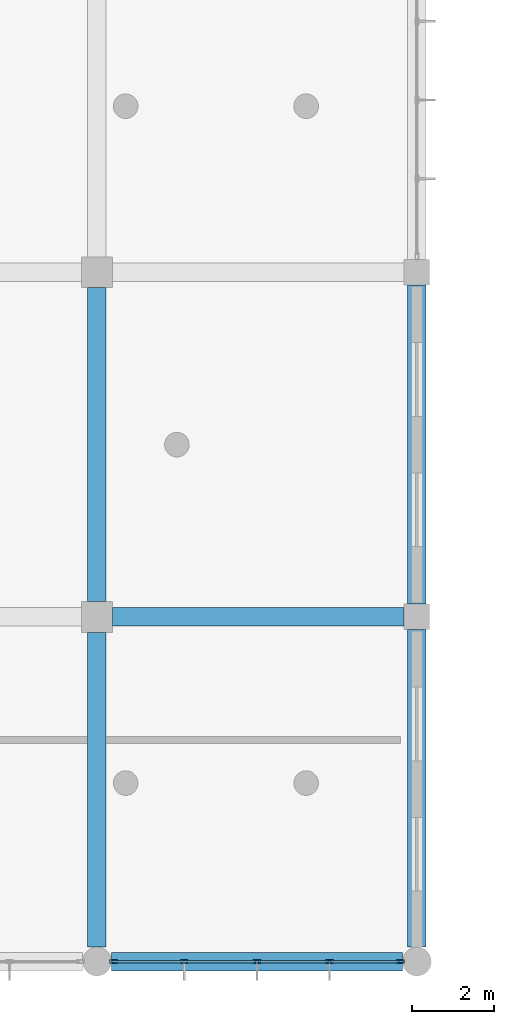
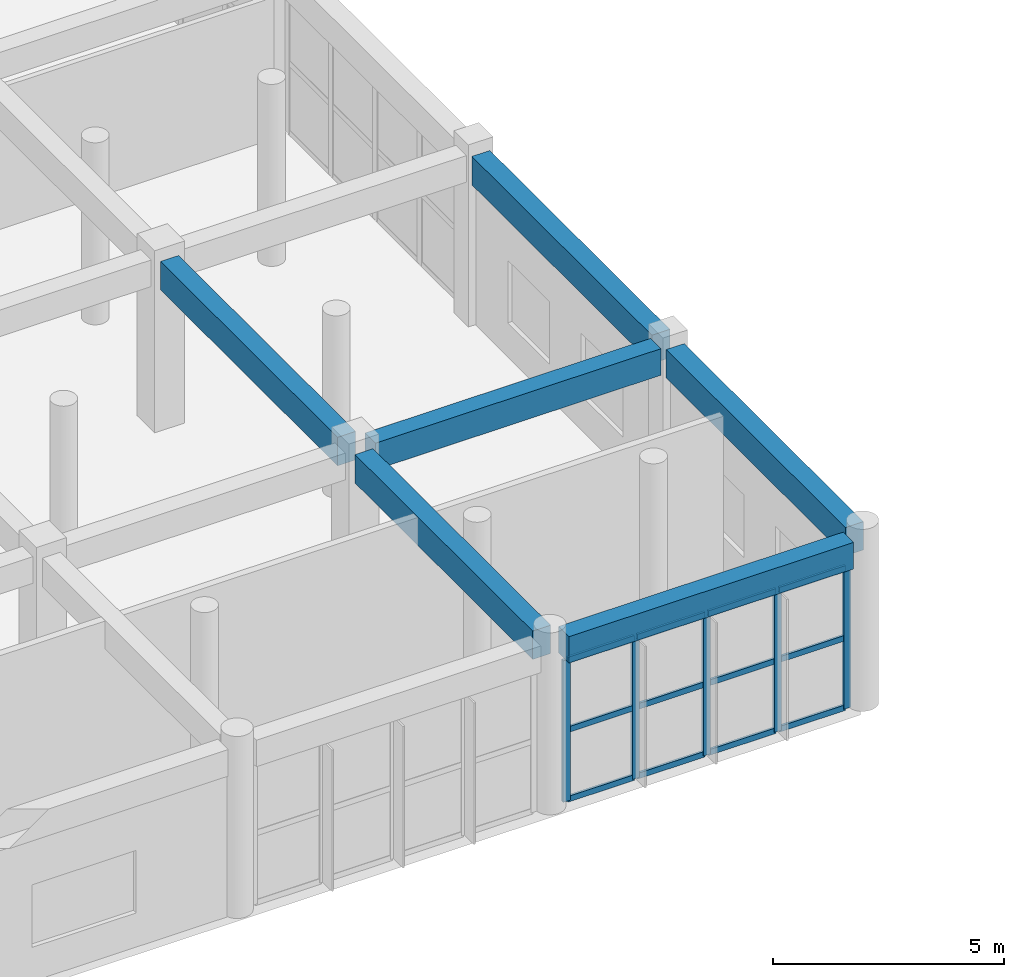
# One storey, part 82 of 167: 17 members, 6 beams, 1 element without a shape of its own.
"""IFC4 building model written with IfcOpenShell, lengths in metres."""

from ifc_helpers import new_model, si_unit, direction, frame, origin, origin_2d, place, context, subcontext, project, spatial, rectangle, hollow_rectangle, extrude, material, layer, layer_set, material_profile, profile_set, type_object, element, aggregate, save


model = new_model("IFC4")

# Units and contexts
model_context = context("Model", 3, precision=1e-05, world=origin(), true_north=direction((0.0, 1.0)))
body_context = subcontext(model_context, "Body", "Model", "MODEL_VIEW")
ifc_project = project(units=[si_unit("LENGTHUNIT", "METRE"), si_unit("AREAUNIT", "SQUARE_METRE"), si_unit("VOLUMEUNIT", "CUBIC_METRE"), si_unit("PLANEANGLEUNIT", "RADIAN"), si_unit("MASSUNIT", "GRAM", prefix="KILO")], contexts=[model_context])

# Site, building, storey
site_placement = place(None, origin())
site = spatial("IfcSite", under=ifc_project, at=site_placement, CompositionType="ELEMENT")
building_placement = place(site_placement, origin())
building = spatial("IfcBuilding", under=site, at=building_placement, Name="Zizhar Promenade General Hospital", CompositionType="ELEMENT")
storey_placement = place(building_placement, frame((0.0, 0.0, 9.60009765625)))
storey = spatial("IfcBuildingStorey", under=building, at=storey_placement, Name="L02", CompositionType="ELEMENT", Elevation=9.60009765625)

# Beams
ifc_material_1 = material(Name="Concrete C35/45", Category="concrete")
ifc_material_profile_1 = material_profile(ifc_material_1, rectangle(XDim=0.449951171875, YDim=0.699951171875, at=origin_2d()))
ifc_profile_set_1 = profile_set([ifc_material_profile_1], Name="Concrete C35/45")
beam_type_1 = type_object("IfcBeamType", Name="BM-RC-450x700", PredefinedType="BEAM", material=ifc_profile_set_1)
beam_1_placement = place(storey_placement, frame((125.14990234375, 0.0, 4.119873046875), z_axis=(1.0, 0.0, 0.0), x_axis=(0.0, 1.0, 0.0)))
element("IfcBeam", 1, at=beam_1_placement, inside=storey, type_object=beam_type_1, Name="Grid Beam X L02 (16-0)", PredefinedType="BEAM", context=body_context, shape_type="SweptSolid", body=[
    extrude(rectangle(XDim=0.449951171875, YDim=0.699951171875, at=origin_2d()), origin(), (0.0, 0.0, 1.0), 7.10009765625),
])
beam_2_placement = place(storey_placement, frame((125.175048828125, 8.39990234375, 4.119873046875), z_axis=(1.0, 0.0, 0.0), x_axis=(0.0, 1.0, 0.0)))
element("IfcBeam", 2, at=beam_2_placement, inside=storey, type_object=beam_type_1, Name="Grid Beam X L02 (16-1)", PredefinedType="BEAM", context=body_context, shape_type="SweptSolid", body=[
    extrude(rectangle(XDim=0.449951171875, YDim=0.699951171875, at=origin_2d()), origin(), (0.0, 0.0, 1.0), 7.114990234375),
])
ifc_material_2 = material(Name="Concrete C35/45", Category="concrete")
ifc_material_profile_2 = material_profile(ifc_material_2, rectangle(XDim=0.449951171875, YDim=0.75, at=origin_2d()))
ifc_profile_set_2 = profile_set([ifc_material_profile_2], Name="Concrete C35/45")
beam_type_2 = type_object("IfcBeamType", Name="BM-RC-450x750", PredefinedType="BEAM", material=ifc_profile_set_2)
beam_3_placement = place(storey_placement, frame((124.800048828125, 0.35009765625, 4.094970703125), z_axis=(0.0, 1.0, 0.0), x_axis=(-1.0, 0.0, 0.0)))
element("IfcBeam", 3, at=beam_3_placement, inside=storey, type_object=beam_type_2, Name="Grid Beam Y L02 (16-0)", PredefinedType="BEAM", context=body_context, shape_type="SweptSolid", body=[
    extrude(rectangle(XDim=0.449951171875, YDim=0.75, at=origin_2d()), origin(), (0.0, 0.0, 1.0), 7.6748046875),
])
beam_4_placement = place(storey_placement, frame((124.800048828125, 8.77490234375, 4.094970703125), z_axis=(0.0, 1.0, 0.0), x_axis=(-1.0, 0.0, 0.0)))
element("IfcBeam", 4, at=beam_4_placement, inside=storey, type_object=beam_type_2, Name="Grid Beam Y L02 (16-1)", PredefinedType="BEAM", context=body_context, shape_type="SweptSolid", body=[
    extrude(rectangle(XDim=0.449951171875, YDim=0.75, at=origin_2d()), origin(), (0.0, 0.0, 1.0), 7.650146484375),
])
beam_5_placement = place(storey_placement, frame((132.60009765625, 0.35009765625, 4.094970703125), z_axis=(0.0, 1.0, 0.0), x_axis=(-1.0, 0.0, 0.0)))
element("IfcBeam", 5, at=beam_5_placement, inside=storey, type_object=beam_type_2, Name="Grid Beam Y L02 (17-0)", PredefinedType="BEAM", context=body_context, shape_type="SweptSolid", body=[
    extrude(rectangle(XDim=0.449951171875, YDim=0.75, at=origin_2d()), origin(), (0.0, 0.0, 1.0), 7.739990234375),
])
beam_6_placement = place(storey_placement, frame((132.60009765625, 8.7099609375, 4.094970703125), z_axis=(0.0, 1.0, 0.0), x_axis=(-1.0, 0.0, 0.0)))
element("IfcBeam", 6, at=beam_6_placement, inside=storey, type_object=beam_type_2, Name="Grid Beam Y L02 (17-1)", PredefinedType="BEAM", context=body_context, shape_type="SweptSolid", body=[
    extrude(rectangle(XDim=0.449951171875, YDim=0.75, at=origin_2d()), origin(), (0.0, 0.0, 1.0), 7.780029296875),
])

# Curtain wall, members
ifc_material_3 = material(Name="Anodised aluminium 6063-T6 and low-E glass", Category="aluminium")
ifc_layer = layer(ifc_material_3, 0.159912109375)
ifc_layer_set = layer_set([ifc_layer], Name="Anodised aluminium 6063-T6 and low-E glass")
curtain_wall_type = type_object("IfcCurtainWallType", Name="CW-DT-MOD1", PredefinedType="NOTDEFINED", material=ifc_layer_set)
curtain_wall_placement = place(storey_placement, origin())
curtain_wall = element("IfcCurtainWall", 7, at=curtain_wall_placement, inside=storey, type_object=curtain_wall_type, Name="Riverfront Clinical Curtain Wall L02-15", PredefinedType="NOTDEFINED")
ifc_material_4 = material(Name="Anodised aluminium 6063-T6", Category="aluminium")
ifc_material_profile_3 = material_profile(ifc_material_4, hollow_rectangle(XDim=0.080078125, YDim=0.179931640625, WallThickness=0.0048828125, at=origin_2d()))
ifc_profile_set_3 = profile_set([ifc_material_profile_3], Name="Anodised aluminium 6063-T6")
member_type_1 = type_object("IfcMemberType", Name="CWM-ALU-180x80", PredefinedType="MULLION", material=ifc_profile_set_3)
member_1_placement = place(storey_placement, frame((132.199951171875, 0.0, 0.0), z_axis=(0.0, 0.0, 1.0), x_axis=(0.0, -1.0, 0.0)))
member_1 = element("IfcMember", 8, at=member_1_placement, type_object=member_type_1, Name="CW-07 mullion 1", PredefinedType="MULLION", context=body_context, shape_type="SweptSolid", body=[
    extrude(hollow_rectangle(XDim=0.080078125, YDim=0.179931640625, WallThickness=0.0048828125, at=origin_2d()), origin(), (0.0, 0.0, 1.0), 3.72998046875),
])
member_2_placement = place(storey_placement, frame((130.469970703125, 0.0, 0.0), z_axis=(0.0, 0.0, 1.0), x_axis=(0.0, -1.0, 0.0)))
member_2 = element("IfcMember", 9, at=member_2_placement, type_object=member_type_1, Name="CW-07 mullion 2", PredefinedType="MULLION", context=body_context, shape_type="SweptSolid", body=[
    extrude(hollow_rectangle(XDim=0.080078125, YDim=0.179931640625, WallThickness=0.0048828125, at=origin_2d()), origin(), (0.0, 0.0, 1.0), 3.72998046875),
])
member_3_placement = place(storey_placement, frame((128.699951171875, 0.0, 0.0), z_axis=(0.0, 0.0, 1.0), x_axis=(0.0, -1.0, 0.0)))
member_3 = element("IfcMember", 10, at=member_3_placement, type_object=member_type_1, Name="CW-07 mullion 3", PredefinedType="MULLION", context=body_context, shape_type="SweptSolid", body=[
    extrude(hollow_rectangle(XDim=0.080078125, YDim=0.179931640625, WallThickness=0.0048828125, at=origin_2d()), origin(), (0.0, 0.0, 1.0), 3.72998046875),
])
member_4_placement = place(storey_placement, frame((126.929931640625, 0.0, 0.0), z_axis=(0.0, 0.0, 1.0), x_axis=(0.0, -1.0, 0.0)))
member_4 = element("IfcMember", 11, at=member_4_placement, type_object=member_type_1, Name="CW-07 mullion 4", PredefinedType="MULLION", context=body_context, shape_type="SweptSolid", body=[
    extrude(hollow_rectangle(XDim=0.080078125, YDim=0.179931640625, WallThickness=0.0048828125, at=origin_2d()), origin(), (0.0, 0.0, 1.0), 3.72998046875),
])
member_5_placement = place(storey_placement, frame((125.199951171875, 0.0, 0.0), z_axis=(0.0, 0.0, 1.0), x_axis=(0.0, -1.0, 0.0)))
member_5 = element("IfcMember", 12, at=member_5_placement, type_object=member_type_1, Name="CW-07 mullion 5", PredefinedType="MULLION", context=body_context, shape_type="SweptSolid", body=[
    extrude(hollow_rectangle(XDim=0.080078125, YDim=0.179931640625, WallThickness=0.0048828125, at=origin_2d()), origin(), (0.0, 0.0, 1.0), 3.72998046875),
])
ifc_material_5 = material(Name="Anodised aluminium 6063-T6", Category="aluminium")
ifc_material_profile_4 = material_profile(ifc_material_5, hollow_rectangle(XDim=0.06005859375, YDim=0.14990234375, WallThickness=0.00390625, at=origin_2d()))
ifc_profile_set_4 = profile_set([ifc_material_profile_4], Name="Anodised aluminium 6063-T6")
member_type_2 = type_object("IfcMemberType", Name="CWT-ALU-150x60", PredefinedType="USERDEFINED", material=ifc_profile_set_4)
member_6_placement = place(storey_placement, frame((132.159912109375, 0.0, 0.02978515625), z_axis=(-1.0, 0.0, 0.0), x_axis=(0.0, -1.0, 0.0)))
member_6 = element("IfcMember", 13, at=member_6_placement, type_object=member_type_2, Name="CW-07 transom 1.1", ObjectType="TRANSOM", PredefinedType="USERDEFINED", context=body_context, shape_type="SweptSolid", body=[
    extrude(hollow_rectangle(XDim=0.06005859375, YDim=0.14990234375, WallThickness=0.00390625, at=origin_2d()), origin(), (0.0, 0.0, 1.0), 1.64990234375),
])
member_7_placement = place(storey_placement, frame((132.159912109375, 0.0, 1.864990234375), z_axis=(-1.0, 0.0, 0.0), x_axis=(0.0, -1.0, 0.0)))
member_7 = element("IfcMember", 14, at=member_7_placement, type_object=member_type_2, Name="CW-07 transom 1.2", ObjectType="TRANSOM", PredefinedType="USERDEFINED", context=body_context, shape_type="SweptSolid", body=[
    extrude(hollow_rectangle(XDim=0.06005859375, YDim=0.14990234375, WallThickness=0.00390625, at=origin_2d()), origin(), (0.0, 0.0, 1.0), 1.64990234375),
])
member_8_placement = place(storey_placement, frame((132.159912109375, 0.0, 3.699951171875), z_axis=(-1.0, 0.0, 0.0), x_axis=(0.0, -1.0, 0.0)))
member_8 = element("IfcMember", 15, at=member_8_placement, type_object=member_type_2, Name="CW-07 transom 1.3", ObjectType="TRANSOM", PredefinedType="USERDEFINED", context=body_context, shape_type="SweptSolid", body=[
    extrude(hollow_rectangle(XDim=0.06005859375, YDim=0.14990234375, WallThickness=0.00390625, at=origin_2d()), origin(), (0.0, 0.0, 1.0), 1.64990234375),
])
member_9_placement = place(storey_placement, frame((130.429931640625, 0.0, 0.02978515625), z_axis=(-1.0, 0.0, 0.0), x_axis=(0.0, -1.0, 0.0)))
member_9 = element("IfcMember", 16, at=member_9_placement, type_object=member_type_2, Name="CW-07 transom 2.1", ObjectType="TRANSOM", PredefinedType="USERDEFINED", context=body_context, shape_type="SweptSolid", body=[
    extrude(hollow_rectangle(XDim=0.06005859375, YDim=0.14990234375, WallThickness=0.00390625, at=origin_2d()), origin(), (0.0, 0.0, 1.0), 1.68994140625),
])
member_10_placement = place(storey_placement, frame((130.429931640625, 0.0, 1.864990234375), z_axis=(-1.0, 0.0, 0.0), x_axis=(0.0, -1.0, 0.0)))
member_10 = element("IfcMember", 17, at=member_10_placement, type_object=member_type_2, Name="CW-07 transom 2.2", ObjectType="TRANSOM", PredefinedType="USERDEFINED", context=body_context, shape_type="SweptSolid", body=[
    extrude(hollow_rectangle(XDim=0.06005859375, YDim=0.14990234375, WallThickness=0.00390625, at=origin_2d()), origin(), (0.0, 0.0, 1.0), 1.68994140625),
])
member_11_placement = place(storey_placement, frame((130.429931640625, 0.0, 3.699951171875), z_axis=(-1.0, 0.0, 0.0), x_axis=(0.0, -1.0, 0.0)))
member_11 = element("IfcMember", 18, at=member_11_placement, type_object=member_type_2, Name="CW-07 transom 2.3", ObjectType="TRANSOM", PredefinedType="USERDEFINED", context=body_context, shape_type="SweptSolid", body=[
    extrude(hollow_rectangle(XDim=0.06005859375, YDim=0.14990234375, WallThickness=0.00390625, at=origin_2d()), origin(), (0.0, 0.0, 1.0), 1.68994140625),
])
member_12_placement = place(storey_placement, frame((128.659912109375, 0.0, 0.02978515625), z_axis=(-1.0, 0.0, 0.0), x_axis=(0.0, -1.0, 0.0)))
member_12 = element("IfcMember", 19, at=member_12_placement, type_object=member_type_2, Name="CW-07 transom 3.1", ObjectType="TRANSOM", PredefinedType="USERDEFINED", context=body_context, shape_type="SweptSolid", body=[
    extrude(hollow_rectangle(XDim=0.06005859375, YDim=0.14990234375, WallThickness=0.00390625, at=origin_2d()), origin(), (0.0, 0.0, 1.0), 1.68994140625),
])
member_13_placement = place(storey_placement, frame((128.659912109375, 0.0, 1.864990234375), z_axis=(-1.0, 0.0, 0.0), x_axis=(0.0, -1.0, 0.0)))
member_13 = element("IfcMember", 20, at=member_13_placement, type_object=member_type_2, Name="CW-07 transom 3.2", ObjectType="TRANSOM", PredefinedType="USERDEFINED", context=body_context, shape_type="SweptSolid", body=[
    extrude(hollow_rectangle(XDim=0.06005859375, YDim=0.14990234375, WallThickness=0.00390625, at=origin_2d()), origin(), (0.0, 0.0, 1.0), 1.68994140625),
])
member_14_placement = place(storey_placement, frame((128.659912109375, 0.0, 3.699951171875), z_axis=(-1.0, 0.0, 0.0), x_axis=(0.0, -1.0, 0.0)))
member_14 = element("IfcMember", 21, at=member_14_placement, type_object=member_type_2, Name="CW-07 transom 3.3", ObjectType="TRANSOM", PredefinedType="USERDEFINED", context=body_context, shape_type="SweptSolid", body=[
    extrude(hollow_rectangle(XDim=0.06005859375, YDim=0.14990234375, WallThickness=0.00390625, at=origin_2d()), origin(), (0.0, 0.0, 1.0), 1.68994140625),
])
member_15_placement = place(storey_placement, frame((126.889892578125, 0.0, 0.02978515625), z_axis=(-1.0, 0.0, 0.0), x_axis=(0.0, -1.0, 0.0)))
member_15 = element("IfcMember", 22, at=member_15_placement, type_object=member_type_2, Name="CW-07 transom 4.1", ObjectType="TRANSOM", PredefinedType="USERDEFINED", context=body_context, shape_type="SweptSolid", body=[
    extrude(hollow_rectangle(XDim=0.06005859375, YDim=0.14990234375, WallThickness=0.00390625, at=origin_2d()), origin(), (0.0, 0.0, 1.0), 1.64990234375),
])
member_16_placement = place(storey_placement, frame((126.889892578125, 0.0, 1.864990234375), z_axis=(-1.0, 0.0, 0.0), x_axis=(0.0, -1.0, 0.0)))
member_16 = element("IfcMember", 23, at=member_16_placement, type_object=member_type_2, Name="CW-07 transom 4.2", ObjectType="TRANSOM", PredefinedType="USERDEFINED", context=body_context, shape_type="SweptSolid", body=[
    extrude(hollow_rectangle(XDim=0.06005859375, YDim=0.14990234375, WallThickness=0.00390625, at=origin_2d()), origin(), (0.0, 0.0, 1.0), 1.64990234375),
])
member_17_placement = place(storey_placement, frame((126.889892578125, 0.0, 3.699951171875), z_axis=(-1.0, 0.0, 0.0), x_axis=(0.0, -1.0, 0.0)))
member_17 = element("IfcMember", 24, at=member_17_placement, type_object=member_type_2, Name="CW-07 transom 4.3", ObjectType="TRANSOM", PredefinedType="USERDEFINED", context=body_context, shape_type="SweptSolid", body=[
    extrude(hollow_rectangle(XDim=0.06005859375, YDim=0.14990234375, WallThickness=0.00390625, at=origin_2d()), origin(), (0.0, 0.0, 1.0), 1.64990234375),
])
aggregate(curtain_wall, [member_1, member_2, member_3, member_4, member_5, member_6, member_7, member_8, member_9, member_10, member_11, member_12, member_13, member_14, member_15, member_16, member_17])

save(model, "model.ifc")
